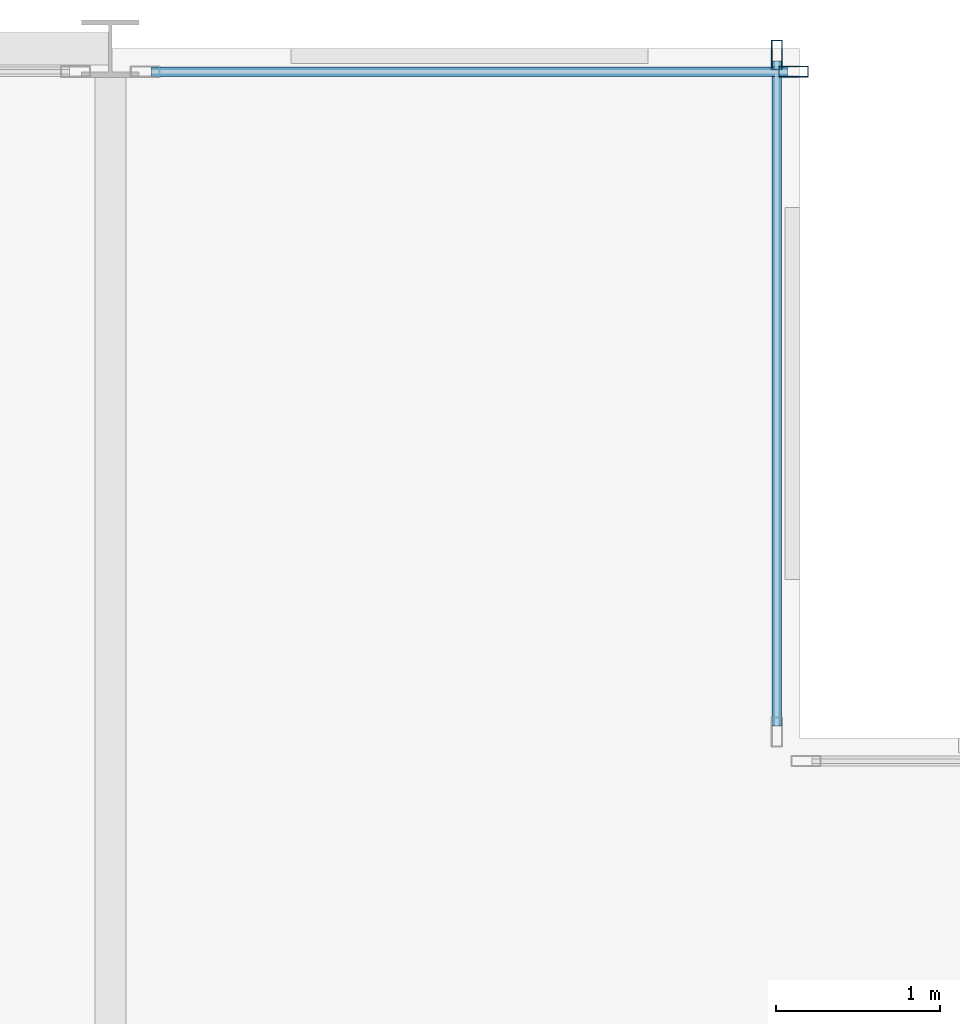
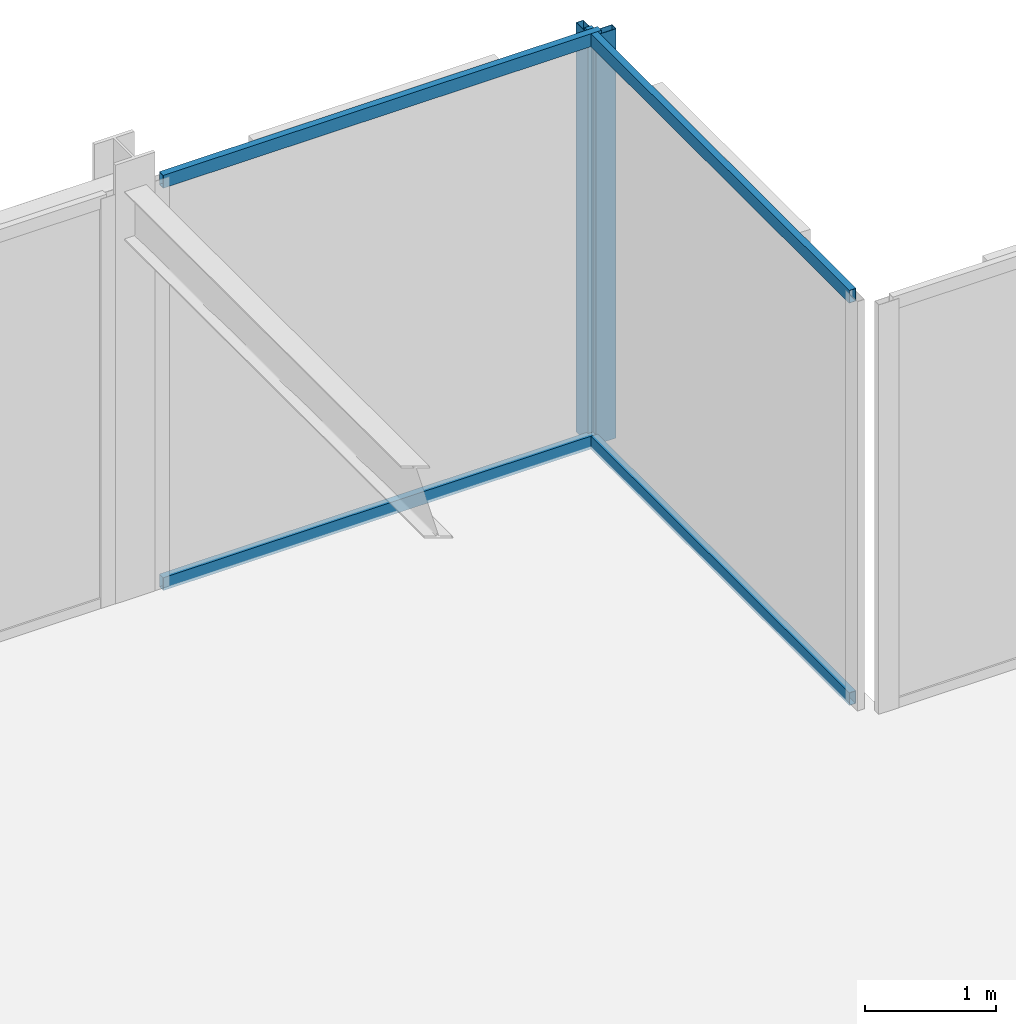
# One storey, part 21 of 29: 6 members, 2 elements without a shape of their own.
"""IFC4 building model written with IfcOpenShell, lengths in metres."""

from ifc_helpers import new_model, si_unit, direction, frame, origin, origin_2d, place, context, subcontext, project, spatial, hollow_rectangle, extrude, material, layer, layer_set, material_profile, profile_set, type_object, element, aggregate, save


model = new_model("IFC4")

# Units and contexts
model_context = context("Model", 3, precision=1e-05, world=origin(), true_north=direction((0.0, 1.0)))
body_context = subcontext(model_context, "Body", "Model", "MODEL_VIEW")
ifc_project = project(units=[si_unit("LENGTHUNIT", "METRE"), si_unit("AREAUNIT", "SQUARE_METRE"), si_unit("VOLUMEUNIT", "CUBIC_METRE"), si_unit("PLANEANGLEUNIT", "RADIAN"), si_unit("MASSUNIT", "GRAM", prefix="KILO")], contexts=[model_context])

# Site, building, storey
site_placement = place(None, origin())
site = spatial("IfcSite", under=ifc_project, at=site_placement, CompositionType="ELEMENT")
building_placement = place(site_placement, origin())
building = spatial("IfcBuilding", under=site, at=building_placement, Name="Nerrivon Quay Data Exchange", CompositionType="ELEMENT")
storey_placement = place(building_placement, frame((0.0, 0.0, 183.699951171875)))
storey = spatial("IfcBuildingStorey", under=building, at=storey_placement, Name="L43", CompositionType="ELEMENT", Elevation=183.699951171875)

# Curtain wall, member
ifc_material = material(Name="Anodised aluminium 6063-T6", Category="aluminium")
ifc_layer = layer(ifc_material, 0.195068359375)
ifc_layer_set = layer_set([ifc_layer], Name="Anodised aluminium 6063-T6")
curtain_wall_type = type_object("IfcCurtainWallType", Name="CW-SYS-06", PredefinedType="NOTDEFINED", material=ifc_layer_set)
curtain_wall_1_placement = place(storey_placement, origin())
curtain_wall_1 = element("IfcCurtainWall", 1, at=curtain_wall_1_placement, inside=storey, type_object=curtain_wall_type, Name="L43 Unitised Curtain Wall 10", PredefinedType="NOTDEFINED")
ifc_material_profile_1 = material_profile(ifc_material, hollow_rectangle(XDim=0.06494140625, YDim=0.179931640625, WallThickness=0.00341796875, at=origin_2d()), Name="ALU-MULL-180x65")
ifc_profile_set_1 = profile_set([ifc_material_profile_1], Name="Anodised aluminium 6063-T6")
member_type_1 = type_object("IfcMemberType", Name="CWM-180x65", PredefinedType="MULLION", material=ifc_profile_set_1)
member_1_placement = place(storey_placement, frame((20.96240234375, 50.260009765625, 0.0), z_axis=(0.0, 0.0, 1.0), x_axis=(0.0, 1.0, 0.0)))
member_1 = element("IfcMember", 2, at=member_1_placement, type_object=member_type_1, Name="CW06 mullion 2", PredefinedType="MULLION", context=body_context, shape_type="SweptSolid", body=[
    extrude(hollow_rectangle(XDim=0.06494140625, YDim=0.179931640625, WallThickness=0.00341796875, at=origin_2d()), origin(), (0.0, 0.0, 1.0), 3.824951171875),
])

curtain_wall_2_placement = place(storey_placement, origin())
curtain_wall_2 = element("IfcCurtainWall", 3, at=curtain_wall_2_placement, inside=storey, type_object=curtain_wall_type, Name="L43 Unitised Curtain Wall 11", PredefinedType="NOTDEFINED")
member_2_placement = place(storey_placement, frame((20.860107421875, 50.362548828125, 0.0), z_axis=(0.0, 0.0, 1.0), x_axis=(1.0, 0.0, 0.0)))
member_2 = element("IfcMember", 4, at=member_2_placement, type_object=member_type_1, Name="CW06 mullion 1", PredefinedType="MULLION", context=body_context, shape_type="SweptSolid", body=[
    extrude(hollow_rectangle(XDim=0.06494140625, YDim=0.179931640625, WallThickness=0.00341796875, at=origin_2d()), origin(), (0.0, 0.0, 1.0), 3.824951171875),
])

# Member
ifc_material_profile_2 = material_profile(ifc_material, hollow_rectangle(XDim=0.06005859375, YDim=0.1201171875, WallThickness=0.003173828125, at=origin_2d()), Name="ALU-TRAN-120x60")
ifc_profile_set_2 = profile_set([ifc_material_profile_2], Name="Anodised aluminium 6063-T6")
member_type_2 = type_object("IfcMemberType", Name="CWT-120x60", PredefinedType="USERDEFINED", material=ifc_profile_set_2)
member_3_placement = place(storey_placement, frame((17.050048828125, 50.260009765625, 0.032470703125), z_axis=(1.0, 0.0, 0.0), x_axis=(0.0, 1.0, 0.0)))
member_3 = element("IfcMember", 5, at=member_3_placement, type_object=member_type_2, Name="CW06 transom 1.1", ObjectType="TRANSOM", PredefinedType="USERDEFINED", context=body_context, shape_type="SweptSolid", body=[
    extrude(hollow_rectangle(XDim=0.06005859375, YDim=0.1201171875, WallThickness=0.003173828125, at=origin_2d()), origin(), (0.0, 0.0, 1.0), 3.875),
])

member_4_placement = place(storey_placement, frame((17.050048828125, 50.260009765625, 3.79248046875), z_axis=(1.0, 0.0, 0.0), x_axis=(0.0, 1.0, 0.0)))
member_4 = element("IfcMember", 6, at=member_4_placement, type_object=member_type_2, Name="CW06 transom 1.2", ObjectType="TRANSOM", PredefinedType="USERDEFINED", context=body_context, shape_type="SweptSolid", body=[
    extrude(hollow_rectangle(XDim=0.06005859375, YDim=0.1201171875, WallThickness=0.003173828125, at=origin_2d()), origin(), (0.0, 0.0, 1.0), 3.875),
])

aggregate(curtain_wall_1, [member_1, member_3, member_4])

member_5_placement = place(storey_placement, frame((20.860107421875, 50.324951171875, 0.032470703125), z_axis=(0.0, -1.0, 0.0), x_axis=(1.0, 0.0, 0.0)))
member_5 = element("IfcMember", 7, at=member_5_placement, type_object=member_type_2, Name="CW06 transom 1.1", ObjectType="TRANSOM", PredefinedType="USERDEFINED", context=body_context, shape_type="SweptSolid", body=[
    extrude(hollow_rectangle(XDim=0.06005859375, YDim=0.1201171875, WallThickness=0.003173828125, at=origin_2d()), origin(), (0.0, 0.0, 1.0), 4.050048828125),
])

member_6_placement = place(storey_placement, frame((20.860107421875, 50.324951171875, 3.79248046875), z_axis=(0.0, -1.0, 0.0), x_axis=(1.0, 0.0, 0.0)))
member_6 = element("IfcMember", 8, at=member_6_placement, type_object=member_type_2, Name="CW06 transom 1.2", ObjectType="TRANSOM", PredefinedType="USERDEFINED", context=body_context, shape_type="SweptSolid", body=[
    extrude(hollow_rectangle(XDim=0.06005859375, YDim=0.1201171875, WallThickness=0.003173828125, at=origin_2d()), origin(), (0.0, 0.0, 1.0), 4.050048828125),
])

aggregate(curtain_wall_2, [member_2, member_5, member_6])

save(model, "model.ifc")
